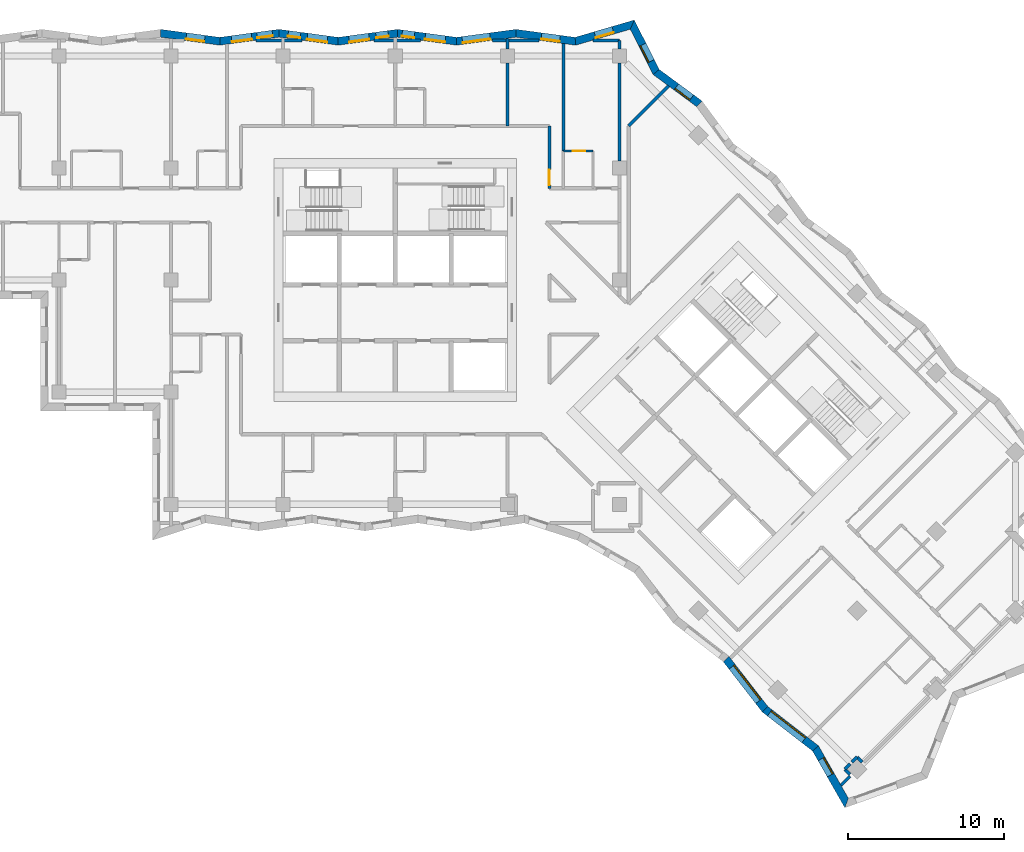
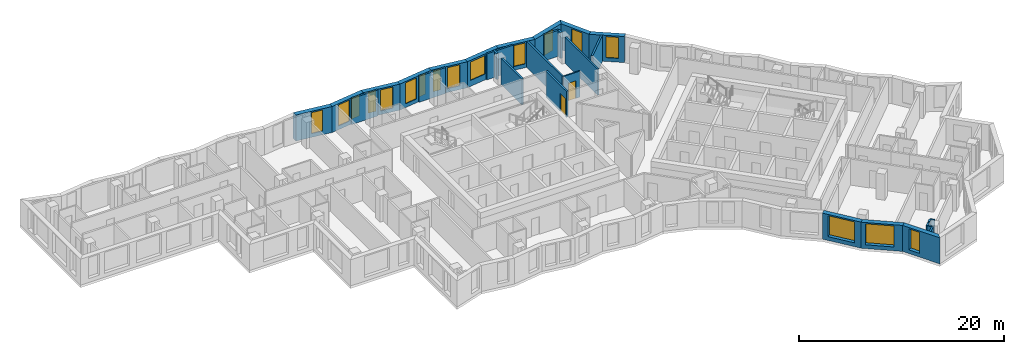
# One storey, part 7 of 12: 30 walls, 17 windows, 2 doors, 19 openings.
"""IFC4 building model written with IfcOpenShell, lengths in metres."""

from ifc_helpers import new_model, si_unit, direction, frame, frame_2d, origin, place, context, subcontext, project, spatial, polyline, rectangle, outline, extrude, material, layer, layer_set, type_object, element, fill, save


model = new_model("IFC4")

# Units and contexts
model_context = context("Model", 3, precision=1e-05, world=origin(), true_north=direction((0.0, 1.0)))
body_context = subcontext(model_context, "Body", "Model", "MODEL_VIEW")
ifc_project = project(units=[si_unit("LENGTHUNIT", "METRE"), si_unit("AREAUNIT", "SQUARE_METRE"), si_unit("VOLUMEUNIT", "CUBIC_METRE"), si_unit("PLANEANGLEUNIT", "RADIAN"), si_unit("MASSUNIT", "GRAM", prefix="KILO")], contexts=[model_context])

# Site, building, storey
site_placement = place(None, origin())
site = spatial("IfcSite", under=ifc_project, at=site_placement, CompositionType="ELEMENT")
building_placement = place(site_placement, origin())
building = spatial("IfcBuilding", under=site, at=building_placement, Name="Windrow Commons", CompositionType="ELEMENT")
storey_placement = place(building_placement, frame((0.0, 0.0, 159.2)))
storey = spatial("IfcBuildingStorey", under=building, at=storey_placement, Name="L43", CompositionType="ELEMENT", Elevation=159.2)

# Wall, opening, window
ifc_material_1 = material(Name="Brick masonry, red clay brick", Category="masonry")
ifc_layer_1 = layer(ifc_material_1, 0.5)
ifc_layer_set_1 = layer_set([ifc_layer_1], Name="Brick facade wall 500")
wall_type_1 = type_object("IfcWallType", Name="Brick facade wall 500", PredefinedType="SOLIDWALL", material=ifc_layer_set_1)
wall_1_placement = place(storey_placement, frame((84.3344, 68.9292, 0.0), z_axis=(0.0, 0.0, 1.0), x_axis=(-0.8050434162, 0.5932158949, 0.0)))
wall_1 = element("IfcWall", 1, at=wall_1_placement, inside=storey, type_object=wall_type_1, Name="Brick facade wall L43 17", PredefinedType="SOLIDWALL", context=body_context, shape_type="SweptSolid", body=[
    extrude(outline(polyline([(-0.0379, -0.25), (3.3805, -0.25), (3.4997, 0.25), (0.0379, 0.25), (-0.0379, -0.25)])), origin(), (0.0, 0.0, 1.0), 3.1),
])
opening_1_placement = place(wall_1_placement, frame((0.6325, 0.0, 0.45)))
opening_1 = element("IfcOpeningElement", 2, at=opening_1_placement, cuts=wall_1, Name="Opening W7E", PredefinedType="OPENING", context=body_context, shape_type="SweptSolid", body=[
    extrude(rectangle(XDim=1.2, YDim=2.5, at=frame_2d((0.6, 1.25))), frame((0.0, 0.26, 0.0), z_axis=(0.0, -1.0, 0.0), x_axis=(1.0, 0.0, 0.0)), (0.0, 0.0, 1.0), 0.52),
])
ifc_material_2 = material(Name="Clear float glass in anodised aluminium frame", Category="aluminium")
window_type_1 = type_object("IfcWindowType", Name="Window W7 notch 1200x2500", PartitioningType="SINGLE_PANEL", PredefinedType="WINDOW", material=ifc_material_2)
window_1_placement = place(opening_1_placement, origin())
window_1 = element("IfcWindow", 3, at=window_1_placement, inside=storey, type_object=window_type_1, Name="Window L43 17.1", OverallHeight=2.5, OverallWidth=1.2, PartitioningType="SINGLE_PANEL", PredefinedType="WINDOW", context=body_context, shape_type="SweptSolid", body=[
    extrude(rectangle(XDim=1.2, YDim=2.5, at=frame_2d((0.6, 1.25))), frame((0.0, 0.18, 0.0), z_axis=(0.0, -1.0, 0.0), x_axis=(1.0, 0.0, 0.0)), (0.0, 0.0, 1.0), 0.06),
])
fill(opening_1, window_1)

wall_2_placement = place(storey_placement, frame((81.565, 70.9699, 0.0), z_axis=(0.0, 0.0, 1.0), x_axis=(-0.4506826549, 0.8926842357, 0.0)))
wall_2 = element("IfcWall", 4, at=wall_2_placement, inside=storey, type_object=wall_type_1, Name="Brick facade wall L43 18", PredefinedType="SOLIDWALL", context=body_context, shape_type="SweptSolid", body=[
    extrude(outline(polyline([(0.0596, -0.25), (3.6177, -0.25), (3.2018, 0.25), (-0.0596, 0.25), (0.0596, -0.25)])), origin(), (0.0, 0.0, 1.0), 3.1),
])
opening_2_placement = place(wall_2_placement, frame((0.7636, 0.0, 0.45)))
opening_2 = element("IfcOpeningElement", 5, at=opening_2_placement, cuts=wall_2, Name="Opening W7E", PredefinedType="OPENING", context=body_context, shape_type="SweptSolid", body=[
    extrude(rectangle(XDim=1.2, YDim=2.5, at=frame_2d((0.6, 1.25))), frame((0.0, 0.26, 0.0), z_axis=(0.0, -1.0, 0.0), x_axis=(1.0, 0.0, 0.0)), (0.0, 0.0, 1.0), 0.52),
])
window_2_placement = place(opening_2_placement, origin())
window_2 = element("IfcWindow", 6, at=window_2_placement, inside=storey, type_object=window_type_1, Name="Window L43 18.1", OverallHeight=2.5, OverallWidth=1.2, PartitioningType="SINGLE_PANEL", PredefinedType="WINDOW", context=body_context, shape_type="SweptSolid", body=[
    extrude(rectangle(XDim=1.2, YDim=2.5, at=frame_2d((0.6, 1.25))), frame((0.0, 0.18, 0.0), z_axis=(0.0, -1.0, 0.0), x_axis=(1.0, 0.0, 0.0)), (0.0, 0.0, 1.0), 0.06),
])
fill(opening_2, window_2)

wall_3_placement = place(storey_placement, frame((80.0283, 74.0137, 0.0), z_axis=(0.0, 0.0, 1.0), x_axis=(-0.9598407547, -0.2805454075, 0.0)))
wall_3 = element("IfcWall", 7, at=wall_3_placement, inside=storey, type_object=wall_type_1, Name="Brick facade wall L43 19", PredefinedType="SOLIDWALL", context=body_context, shape_type="SweptSolid", body=[
    extrude(outline(polyline([(-0.2079, -0.25), (3.7556, -0.25), (3.8617, 0.25), (0.2079, 0.25), (-0.2079, -0.25)])), origin(), (0.0, 0.0, 1.0), 3.1),
])
opening_3_placement = place(wall_3_placement, frame((1.2858, 0.0, 0.45)))
opening_3 = element("IfcOpeningElement", 8, at=opening_3_placement, cuts=wall_3, Name="Opening W7E", PredefinedType="OPENING", context=body_context, shape_type="SweptSolid", body=[
    extrude(rectangle(XDim=1.2, YDim=2.5, at=frame_2d((0.6, 1.25))), frame((0.0, 0.26, 0.0), z_axis=(0.0, -1.0, 0.0), x_axis=(1.0, 0.0, 0.0)), (0.0, 0.0, 1.0), 0.52),
])
window_3_placement = place(opening_3_placement, origin())
window_3 = element("IfcWindow", 9, at=window_3_placement, inside=storey, type_object=window_type_1, Name="Window L43 19.1", OverallHeight=2.5, OverallWidth=1.2, PartitioningType="SINGLE_PANEL", PredefinedType="WINDOW", context=body_context, shape_type="SweptSolid", body=[
    extrude(rectangle(XDim=1.2, YDim=2.5, at=frame_2d((0.6, 1.25))), frame((0.0, 0.18, 0.0), z_axis=(0.0, -1.0, 0.0), x_axis=(1.0, 0.0, 0.0)), (0.0, 0.0, 1.0), 0.06),
])
fill(opening_3, window_3)

wall_4_placement = place(storey_placement, frame((76.3726, 72.9452, 0.0), z_axis=(0.0, 0.0, 1.0), x_axis=(-0.9910680415, 0.1333571784, 0.0)))
wall_4 = element("IfcWall", 10, at=wall_4_placement, inside=storey, type_object=wall_type_1, Name="Brick facade wall L43 20", PredefinedType="SOLIDWALL", context=body_context, shape_type="SweptSolid", body=[
    extrude(outline(polyline([(0.053, -0.25), (3.8917, -0.25), (3.8244, 0.25), (-0.053, 0.25), (0.053, -0.25)])), origin(), (0.0, 0.0, 1.0), 3.1),
])
opening_4_placement = place(wall_4_placement, frame((1.002, 0.0, 0.45)))
opening_4 = element("IfcOpeningElement", 11, at=opening_4_placement, cuts=wall_4, Name="Opening W7E", PredefinedType="OPENING", context=body_context, shape_type="SweptSolid", body=[
    extrude(rectangle(XDim=1.2, YDim=2.5, at=frame_2d((0.6, 1.25))), frame((0.0, 0.26, 0.0), z_axis=(0.0, -1.0, 0.0), x_axis=(1.0, 0.0, 0.0)), (0.0, 0.0, 1.0), 0.52),
])
window_4_placement = place(opening_4_placement, origin())
window_4 = element("IfcWindow", 12, at=window_4_placement, inside=storey, type_object=window_type_1, Name="Window L43 20.1", OverallHeight=2.5, OverallWidth=1.2, PartitioningType="SINGLE_PANEL", PredefinedType="WINDOW", context=body_context, shape_type="SweptSolid", body=[
    extrude(rectangle(XDim=1.2, YDim=2.5, at=frame_2d((0.6, 1.25))), frame((0.0, 0.18, 0.0), z_axis=(0.0, -1.0, 0.0), x_axis=(1.0, 0.0, 0.0)), (0.0, 0.0, 1.0), 0.06),
])
fill(opening_4, window_4)

wall_5_placement = place(storey_placement, frame((72.549, 73.4597, 0.0), z_axis=(0.0, 0.0, 1.0), x_axis=(-0.9910651652, -0.1333785524, 0.0)))
wall_5 = element("IfcWall", 13, at=wall_5_placement, inside=storey, type_object=wall_type_1, Name="Brick facade wall L43 21", PredefinedType="SOLIDWALL", context=body_context, shape_type="SweptSolid", body=[
    extrude(outline(polyline([(-0.0336, -0.25), (3.805, -0.25), (3.8723, 0.25), (0.0336, 0.25), (-0.0336, -0.25)])), origin(), (0.0, 0.0, 1.0), 3.1),
])
opening_5_placement = place(wall_5_placement, frame((1.668, 0.0, 0.7)))
opening_5 = element("IfcOpeningElement", 14, at=opening_5_placement, cuts=wall_5, Name="Opening W6", PredefinedType="OPENING", context=body_context, shape_type="SweptSolid", body=[
    extrude(rectangle(XDim=1.8, YDim=2.2, at=frame_2d((0.9, 1.1))), frame((0.0, 0.26, 0.0), z_axis=(0.0, -1.0, 0.0), x_axis=(1.0, 0.0, 0.0)), (0.0, 0.0, 1.0), 0.52),
])
ifc_material_3 = material(Name="Clear float glass in anodised aluminium frame", Category="aluminium")
window_type_2 = type_object("IfcWindowType", Name="Window W6 crown 1800x2200", PartitioningType="SINGLE_PANEL", PredefinedType="WINDOW", material=ifc_material_3)
window_5_placement = place(opening_5_placement, origin())
window_5 = element("IfcWindow", 15, at=window_5_placement, inside=storey, type_object=window_type_2, Name="Window L43 21.1A", OverallHeight=2.2, OverallWidth=1.8, PartitioningType="SINGLE_PANEL", PredefinedType="WINDOW", context=body_context, shape_type="SweptSolid", body=[
    extrude(rectangle(XDim=1.8, YDim=2.2, at=frame_2d((0.9, 1.1))), frame((0.0, 0.18, 0.0), z_axis=(0.0, -1.0, 0.0), x_axis=(1.0, 0.0, 0.0)), (0.0, 0.0, 1.0), 0.06),
])
fill(opening_5, window_5)

# Wall, openings, windows
wall_6_placement = place(storey_placement, frame((68.7446, 72.9477, 0.0), z_axis=(0.0, 0.0, 1.0), x_axis=(-0.9910647018, 0.133381996, 0.0)))
wall_6 = element("IfcWall", 16, at=wall_6_placement, inside=storey, type_object=wall_type_1, Name="Brick facade wall L43 22", PredefinedType="SOLIDWALL", context=body_context, shape_type="SweptSolid", body=[
    extrude(outline(polyline([(0.0336, -0.25), (3.8723, -0.25), (3.805, 0.25), (-0.0336, 0.25), (0.0336, -0.25)])), origin(), (0.0, 0.0, 1.0), 3.1),
])
opening_6_placement = place(wall_6_placement, frame((0.7377, 0.0, 0.45)))
opening_6 = element("IfcOpeningElement", 17, at=opening_6_placement, cuts=wall_6, Name="Opening W1Q", PredefinedType="OPENING", context=body_context, shape_type="SweptSolid", body=[
    extrude(rectangle(XDim=1.3, YDim=2.5, at=frame_2d((0.65, 1.25))), frame((0.0, 0.26, 0.0), z_axis=(0.0, -1.0, 0.0), x_axis=(1.0, 0.0, 0.0)), (0.0, 0.0, 1.0), 0.52),
])
opening_7_placement = place(wall_6_placement, frame((2.7377, 0.0, 0.45)))
opening_7 = element("IfcOpeningElement", 18, at=opening_7_placement, cuts=wall_6, Name="Opening W1N", PredefinedType="OPENING", context=body_context, shape_type="SweptSolid", body=[
    extrude(rectangle(XDim=0.8, YDim=2.5, at=frame_2d((0.4, 1.25))), frame((0.0, 0.26, 0.0), z_axis=(0.0, -1.0, 0.0), x_axis=(1.0, 0.0, 0.0)), (0.0, 0.0, 1.0), 0.52),
])
ifc_material_4 = material(Name="Clear float glass in anodised aluminium frame", Category="aluminium")
window_type_3 = type_object("IfcWindowType", Name="Window W1N slit 800x2500", PartitioningType="SINGLE_PANEL", PredefinedType="WINDOW", material=ifc_material_4)
window_6_placement = place(opening_7_placement, origin())
window_6 = element("IfcWindow", 19, at=window_6_placement, inside=storey, type_object=window_type_3, Name="Window L43 22.1B", OverallHeight=2.5, OverallWidth=0.8, PartitioningType="SINGLE_PANEL", PredefinedType="WINDOW", context=body_context, shape_type="SweptSolid", body=[
    extrude(rectangle(XDim=0.8, YDim=2.5, at=frame_2d((0.4, 1.25))), frame((0.0, 0.18, 0.0), z_axis=(0.0, -1.0, 0.0), x_axis=(1.0, 0.0, 0.0)), (0.0, 0.0, 1.0), 0.06),
])
fill(opening_7, window_6)
ifc_material_5 = material(Name="Clear float glass in anodised aluminium frame", Category="aluminium")
window_type_4 = type_object("IfcWindowType", Name="Window W1Q pair 1300x2500", PartitioningType="SINGLE_PANEL", PredefinedType="WINDOW", material=ifc_material_5)
window_7_placement = place(opening_6_placement, origin())
window_7 = element("IfcWindow", 20, at=window_7_placement, inside=storey, type_object=window_type_4, Name="Window L43 22.1A", OverallHeight=2.5, OverallWidth=1.3, PartitioningType="SINGLE_PANEL", PredefinedType="WINDOW", context=body_context, shape_type="SweptSolid", body=[
    extrude(rectangle(XDim=1.3, YDim=2.5, at=frame_2d((0.65, 1.25))), frame((0.0, 0.18, 0.0), z_axis=(0.0, -1.0, 0.0), x_axis=(1.0, 0.0, 0.0)), (0.0, 0.0, 1.0), 0.06),
])
fill(opening_6, window_7)

wall_7_placement = place(storey_placement, frame((64.9403, 73.4597, 0.0), z_axis=(0.0, 0.0, 1.0), x_axis=(-0.9910651652, -0.1333785524, 0.0)))
wall_7 = element("IfcWall", 21, at=wall_7_placement, inside=storey, type_object=wall_type_1, Name="Brick facade wall L43 23", PredefinedType="SOLIDWALL", context=body_context, shape_type="SweptSolid", body=[
    extrude(outline(polyline([(-0.0336, -0.25), (3.805, -0.25), (3.8723, 0.25), (0.0336, 0.25), (-0.0336, -0.25)])), origin(), (0.0, 0.0, 1.0), 3.1),
])
opening_8_placement = place(wall_7_placement, frame((0.588, 0.0, 0.45)))
opening_8 = element("IfcOpeningElement", 22, at=opening_8_placement, cuts=wall_7, Name="Opening W1N", PredefinedType="OPENING", context=body_context, shape_type="SweptSolid", body=[
    extrude(rectangle(XDim=0.8, YDim=2.5, at=frame_2d((0.4, 1.25))), frame((0.0, 0.26, 0.0), z_axis=(0.0, -1.0, 0.0), x_axis=(1.0, 0.0, 0.0)), (0.0, 0.0, 1.0), 0.52),
])
opening_9_placement = place(wall_7_placement, frame((1.838, 0.0, 0.45)))
opening_9 = element("IfcOpeningElement", 23, at=opening_9_placement, cuts=wall_7, Name="Opening W1Q", PredefinedType="OPENING", context=body_context, shape_type="SweptSolid", body=[
    extrude(rectangle(XDim=1.3, YDim=2.5, at=frame_2d((0.65, 1.25))), frame((0.0, 0.26, 0.0), z_axis=(0.0, -1.0, 0.0), x_axis=(1.0, 0.0, 0.0)), (0.0, 0.0, 1.0), 0.52),
])
window_8_placement = place(opening_8_placement, origin())
window_8 = element("IfcWindow", 24, at=window_8_placement, inside=storey, type_object=window_type_3, Name="Window L43 23.1A", OverallHeight=2.5, OverallWidth=0.8, PartitioningType="SINGLE_PANEL", PredefinedType="WINDOW", context=body_context, shape_type="SweptSolid", body=[
    extrude(rectangle(XDim=0.8, YDim=2.5, at=frame_2d((0.4, 1.25))), frame((0.0, 0.14, 0.0), z_axis=(0.0, -1.0, 0.0), x_axis=(1.0, 0.0, 0.0)), (0.0, 0.0, 1.0), 0.06),
])
fill(opening_8, window_8)
window_9_placement = place(opening_9_placement, origin())
window_9 = element("IfcWindow", 25, at=window_9_placement, inside=storey, type_object=window_type_4, Name="Window L43 23.1B", OverallHeight=2.5, OverallWidth=1.3, PartitioningType="SINGLE_PANEL", PredefinedType="WINDOW", context=body_context, shape_type="SweptSolid", body=[
    extrude(rectangle(XDim=1.3, YDim=2.5, at=frame_2d((0.65, 1.25))), frame((0.0, 0.18, 0.0), z_axis=(0.0, -1.0, 0.0), x_axis=(1.0, 0.0, 0.0)), (0.0, 0.0, 1.0), 0.06),
])
fill(opening_9, window_9)

wall_8_placement = place(storey_placement, frame((61.1359, 72.9477, 0.0), z_axis=(0.0, 0.0, 1.0), x_axis=(-0.9910647018, 0.133381996, 0.0)))
wall_8 = element("IfcWall", 26, at=wall_8_placement, inside=storey, type_object=wall_type_1, Name="Brick facade wall L43 24", PredefinedType="SOLIDWALL", context=body_context, shape_type="SweptSolid", body=[
    extrude(outline(polyline([(0.0336, -0.25), (3.8723, -0.25), (3.805, 0.25), (-0.0336, 0.25), (0.0336, -0.25)])), origin(), (0.0, 0.0, 1.0), 3.1),
])
opening_10_placement = place(wall_8_placement, frame((0.7007, 0.0, 0.45)))
opening_10 = element("IfcOpeningElement", 27, at=opening_10_placement, cuts=wall_8, Name="Opening W1Q", PredefinedType="OPENING", context=body_context, shape_type="SweptSolid", body=[
    extrude(rectangle(XDim=1.3, YDim=2.5, at=frame_2d((0.65, 1.25))), frame((0.0, 0.26, 0.0), z_axis=(0.0, -1.0, 0.0), x_axis=(1.0, 0.0, 0.0)), (0.0, 0.0, 1.0), 0.52),
])
opening_11_placement = place(wall_8_placement, frame((2.4507, 0.0, 0.45)))
opening_11 = element("IfcOpeningElement", 28, at=opening_11_placement, cuts=wall_8, Name="Opening W1N", PredefinedType="OPENING", context=body_context, shape_type="SweptSolid", body=[
    extrude(rectangle(XDim=0.8, YDim=2.5, at=frame_2d((0.4, 1.25))), frame((0.0, 0.26, 0.0), z_axis=(0.0, -1.0, 0.0), x_axis=(1.0, 0.0, 0.0)), (0.0, 0.0, 1.0), 0.52),
])
window_10_placement = place(opening_11_placement, origin())
window_10 = element("IfcWindow", 29, at=window_10_placement, inside=storey, type_object=window_type_3, Name="Window L43 24.1B", OverallHeight=2.5, OverallWidth=0.8, PartitioningType="SINGLE_PANEL", PredefinedType="WINDOW", context=body_context, shape_type="SweptSolid", body=[
    extrude(rectangle(XDim=0.8, YDim=2.5, at=frame_2d((0.4, 1.25))), frame((0.0, 0.14, 0.0), z_axis=(0.0, -1.0, 0.0), x_axis=(1.0, 0.0, 0.0)), (0.0, 0.0, 1.0), 0.06),
])
fill(opening_11, window_10)
window_11_placement = place(opening_10_placement, origin())
window_11 = element("IfcWindow", 30, at=window_11_placement, inside=storey, type_object=window_type_4, Name="Window L43 24.1A", OverallHeight=2.5, OverallWidth=1.3, PartitioningType="SINGLE_PANEL", PredefinedType="WINDOW", context=body_context, shape_type="SweptSolid", body=[
    extrude(rectangle(XDim=1.3, YDim=2.5, at=frame_2d((0.65, 1.25))), frame((0.0, 0.18, 0.0), z_axis=(0.0, -1.0, 0.0), x_axis=(1.0, 0.0, 0.0)), (0.0, 0.0, 1.0), 0.06),
])
fill(opening_10, window_11)

wall_9_placement = place(storey_placement, frame((57.3316, 73.4597, 0.0), z_axis=(0.0, 0.0, 1.0), x_axis=(-0.9910651652, -0.1333785524, 0.0)))
wall_9 = element("IfcWall", 31, at=wall_9_placement, inside=storey, type_object=wall_type_1, Name="Brick facade wall L43 25", PredefinedType="SOLIDWALL", context=body_context, shape_type="SweptSolid", body=[
    extrude(outline(polyline([(-0.0336, -0.25), (3.805, -0.25), (3.8723, 0.25), (0.0336, 0.25), (-0.0336, -0.25)])), origin(), (0.0, 0.0, 1.0), 3.1),
])
opening_12_placement = place(wall_9_placement, frame((0.4187, 0.0, 0.45)))
opening_12 = element("IfcOpeningElement", 32, at=opening_12_placement, cuts=wall_9, Name="Opening W1S", PredefinedType="OPENING", context=body_context, shape_type="SweptSolid", body=[
    extrude(rectangle(XDim=1.0, YDim=2.5, at=frame_2d((0.5, 1.25))), frame((0.0, 0.26, 0.0), z_axis=(0.0, -1.0, 0.0), x_axis=(1.0, 0.0, 0.0)), (0.0, 0.0, 1.0), 0.52),
])
opening_13_placement = place(wall_9_placement, frame((1.7687, 0.0, 0.45)))
opening_13 = element("IfcOpeningElement", 33, at=opening_13_placement, cuts=wall_9, Name="Opening W1Q", PredefinedType="OPENING", context=body_context, shape_type="SweptSolid", body=[
    extrude(rectangle(XDim=1.3, YDim=2.5, at=frame_2d((0.65, 1.25))), frame((0.0, 0.26, 0.0), z_axis=(0.0, -1.0, 0.0), x_axis=(1.0, 0.0, 0.0)), (0.0, 0.0, 1.0), 0.52),
])
window_12_placement = place(opening_13_placement, origin())
window_12 = element("IfcWindow", 34, at=window_12_placement, inside=storey, type_object=window_type_4, Name="Window L43 25.1B", OverallHeight=2.5, OverallWidth=1.3, PartitioningType="SINGLE_PANEL", PredefinedType="WINDOW", context=body_context, shape_type="SweptSolid", body=[
    extrude(rectangle(XDim=1.3, YDim=2.5, at=frame_2d((0.65, 1.25))), frame((0.0, 0.18, 0.0), z_axis=(0.0, -1.0, 0.0), x_axis=(1.0, 0.0, 0.0)), (0.0, 0.0, 1.0), 0.06),
])
fill(opening_13, window_12)
ifc_material_6 = material(Name="Clear float glass in anodised aluminium frame", Category="aluminium")
window_type_5 = type_object("IfcWindowType", Name="Window W1S slit 1000x2500", PartitioningType="SINGLE_PANEL", PredefinedType="WINDOW", material=ifc_material_6)
window_13_placement = place(opening_12_placement, origin())
window_13 = element("IfcWindow", 35, at=window_13_placement, inside=storey, type_object=window_type_5, Name="Window L43 25.1A", OverallHeight=2.5, OverallWidth=1.0, PartitioningType="SINGLE_PANEL", PredefinedType="WINDOW", context=body_context, shape_type="SweptSolid", body=[
    extrude(rectangle(XDim=1.0, YDim=2.5, at=frame_2d((0.5, 1.25))), frame((0.0, 0.14, 0.0), z_axis=(0.0, -1.0, 0.0), x_axis=(1.0, 0.0, 0.0)), (0.0, 0.0, 1.0), 0.06),
])
fill(opening_12, window_13)

# Wall, opening, window
wall_10_placement = place(storey_placement, frame((53.5272, 72.9477, 0.0), z_axis=(0.0, 0.0, 1.0), x_axis=(-0.9910647018, 0.133381996, 0.0)))
wall_10 = element("IfcWall", 36, at=wall_10_placement, inside=storey, type_object=wall_type_1, Name="Brick facade wall L43 26", PredefinedType="SOLIDWALL", context=body_context, shape_type="SweptSolid", body=[
    extrude(outline(polyline([(0.0336, -0.25), (3.8723, -0.25), (3.805, 0.25), (-0.0336, 0.25), (0.0336, -0.25)])), origin(), (0.0, 0.0, 1.0), 3.1),
])
opening_14_placement = place(wall_10_placement, frame((0.9777, 0.0, 0.45)))
opening_14 = element("IfcOpeningElement", 37, at=opening_14_placement, cuts=wall_10, Name="Opening W7E", PredefinedType="OPENING", context=body_context, shape_type="SweptSolid", body=[
    extrude(rectangle(XDim=1.2, YDim=2.5, at=frame_2d((0.6, 1.25))), frame((0.0, 0.26, 0.0), z_axis=(0.0, -1.0, 0.0), x_axis=(1.0, 0.0, 0.0)), (0.0, 0.0, 1.0), 0.52),
])
window_14_placement = place(opening_14_placement, origin())
window_14 = element("IfcWindow", 38, at=window_14_placement, inside=storey, type_object=window_type_1, Name="Window L43 26.1", OverallHeight=2.5, OverallWidth=1.2, PartitioningType="SINGLE_PANEL", PredefinedType="WINDOW", context=body_context, shape_type="SweptSolid", body=[
    extrude(rectangle(XDim=1.2, YDim=2.5, at=frame_2d((0.6, 1.25))), frame((0.0, 0.18, 0.0), z_axis=(0.0, -1.0, 0.0), x_axis=(1.0, 0.0, 0.0)), (0.0, 0.0, 1.0), 0.06),
])
fill(opening_14, window_14)

wall_11_placement = place(storey_placement, frame((86.0557, 33.2565, 0.0), z_axis=(0.0, 0.0, 1.0), x_axis=(0.6128993362, -0.7901609986, 0.0)))
wall_11 = element("IfcWall", 39, at=wall_11_placement, inside=storey, type_object=wall_type_1, Name="Brick facade wall L43 53", PredefinedType="SOLIDWALL", context=body_context, shape_type="SweptSolid", body=[
    extrude(outline(polyline([(0.0316, -0.25), (4.116, -0.25), (4.0528, 0.25), (-0.0316, 0.25), (0.0316, -0.25)])), origin(), (0.0, 0.0, 1.0), 3.1),
])
opening_15_placement = place(wall_11_placement, frame((0.6264, 0.0, 0.45)))
opening_15 = element("IfcOpeningElement", 40, at=opening_15_placement, cuts=wall_11, Name="Opening W1U", PredefinedType="OPENING", context=body_context, shape_type="SweptSolid", body=[
    extrude(rectangle(XDim=2.8, YDim=2.5, at=frame_2d((1.4, 1.25))), frame((0.0, 0.26, 0.0), z_axis=(0.0, -1.0, 0.0), x_axis=(1.0, 0.0, 0.0)), (0.0, 0.0, 1.0), 0.52),
])
ifc_material_7 = material(Name="Clear float glass in anodised aluminium frame", Category="aluminium")
window_type_6 = type_object("IfcWindowType", Name="Window W1U bedroom 2800x2500", PartitioningType="SINGLE_PANEL", PredefinedType="WINDOW", material=ifc_material_7)
window_15_placement = place(opening_15_placement, origin())
window_15 = element("IfcWindow", 41, at=window_15_placement, inside=storey, type_object=window_type_6, Name="Window L43 53.1", OverallHeight=2.5, OverallWidth=2.8, PartitioningType="SINGLE_PANEL", PredefinedType="WINDOW", context=body_context, shape_type="SweptSolid", body=[
    extrude(rectangle(XDim=2.8, YDim=2.5, at=frame_2d((1.4, 1.25))), frame((0.0, 0.18, 0.0), z_axis=(0.0, -1.0, 0.0), x_axis=(1.0, 0.0, 0.0)), (0.0, 0.0, 1.0), 0.06),
])
fill(opening_15, window_15)

wall_12_placement = place(storey_placement, frame((88.559, 30.0292, 0.0), z_axis=(0.0, 0.0, 1.0), x_axis=(0.7901665614, -0.6128921644, 0.0)))
wall_12 = element("IfcWall", 42, at=wall_12_placement, inside=storey, type_object=wall_type_1, Name="Brick facade wall L43 54", PredefinedType="SOLIDWALL", context=body_context, shape_type="SweptSolid", body=[
    extrude(outline(polyline([(-0.0316, -0.25), (4.0528, -0.25), (4.1525, 0.25), (0.0316, 0.25), (-0.0316, -0.25)])), origin(), (0.0, 0.0, 1.0), 3.1),
])
opening_16_placement = place(wall_12_placement, frame((0.3811, 0.0, 0.45)))
opening_16 = element("IfcOpeningElement", 43, at=opening_16_placement, cuts=wall_12, Name="Opening W1U", PredefinedType="OPENING", context=body_context, shape_type="SweptSolid", body=[
    extrude(rectangle(XDim=2.8, YDim=2.5, at=frame_2d((1.4, 1.25))), frame((0.0, 0.26, 0.0), z_axis=(0.0, -1.0, 0.0), x_axis=(1.0, 0.0, 0.0)), (0.0, 0.0, 1.0), 0.52),
])
window_16_placement = place(opening_16_placement, origin())
window_16 = element("IfcWindow", 44, at=window_16_placement, inside=storey, type_object=window_type_6, Name="Window L43 54.1", OverallHeight=2.5, OverallWidth=2.8, PartitioningType="SINGLE_PANEL", PredefinedType="WINDOW", context=body_context, shape_type="SweptSolid", body=[
    extrude(rectangle(XDim=2.8, YDim=2.5, at=frame_2d((1.4, 1.25))), frame((0.0, 0.18, 0.0), z_axis=(0.0, -1.0, 0.0), x_axis=(1.0, 0.0, 0.0)), (0.0, 0.0, 1.0), 0.06),
])
fill(opening_16, window_16)

wall_13_placement = place(storey_placement, frame((91.8008, 27.5147, 0.0), z_axis=(0.0, 0.0, 1.0), x_axis=(0.4947688164, -0.8690246362, 0.0)))
wall_13 = element("IfcWall", 45, at=wall_13_placement, inside=storey, type_object=wall_type_1, Name="Brick facade wall L43 55", PredefinedType="SOLIDWALL", context=body_context, shape_type="SweptSolid", body=[
    extrude(outline(polyline([(0.0498, -0.25), (4.2518, -0.25), (3.8319, 0.25), (-0.0498, 0.25), (0.0498, -0.25)])), origin(), (0.0, 0.0, 1.0), 3.1),
])
opening_17_placement = place(wall_13_placement, frame((0.7694, 0.0, 0.45)))
opening_17 = element("IfcOpeningElement", 46, at=opening_17_placement, cuts=wall_13, Name="Opening W7E", PredefinedType="OPENING", context=body_context, shape_type="SweptSolid", body=[
    extrude(rectangle(XDim=1.2, YDim=2.5, at=frame_2d((0.6, 1.25))), frame((0.0, 0.26, 0.0), z_axis=(0.0, -1.0, 0.0), x_axis=(1.0, 0.0, 0.0)), (0.0, 0.0, 1.0), 0.52),
])
window_17_placement = place(opening_17_placement, origin())
window_17 = element("IfcWindow", 47, at=window_17_placement, inside=storey, type_object=window_type_1, Name="Window L43 55.1", OverallHeight=2.5, OverallWidth=1.2, PartitioningType="SINGLE_PANEL", PredefinedType="WINDOW", context=body_context, shape_type="SweptSolid", body=[
    extrude(rectangle(XDim=1.2, YDim=2.5, at=frame_2d((0.6, 1.25))), frame((0.0, 0.18, 0.0), z_axis=(0.0, -1.0, 0.0), x_axis=(1.0, 0.0, 0.0)), (0.0, 0.0, 1.0), 0.06),
])
fill(opening_17, window_17)

# Wall, opening, door
ifc_material_8 = material(Name="Blockwork partition", Category="masonry")
ifc_layer_2 = layer(ifc_material_8, 0.2)
ifc_layer_set_2 = layer_set([ifc_layer_2], Name="IW-CORRIDOR-200")
wall_type_2 = type_object("IfcWallType", Name="IW-CORRIDOR-200", PredefinedType="PARTITIONING", material=ifc_layer_set_2)
wall_14_placement = place(storey_placement, frame((74.7, 63.502, 0.0), z_axis=(0.0, 0.0, 1.0), x_axis=(0.0, 1.0, 0.0)))
wall_14 = element("IfcWall", 48, at=wall_14_placement, inside=storey, type_object=wall_type_2, Name="W-L43-W043", PredefinedType="PARTITIONING", context=body_context, shape_type="SweptSolid", body=[
    extrude(rectangle(XDim=3.998, YDim=0.2, at=frame_2d((1.999, 0.0))), origin(), (0.0, 0.0, 1.0), 3.1),
])
opening_18_placement = place(wall_14_placement, frame((0.2031, 0.0, 0.0)))
opening_18 = element("IfcOpeningElement", 49, at=opening_18_placement, cuts=wall_14, Name="Opening D310F", PredefinedType="OPENING", context=body_context, shape_type="SweptSolid", body=[
    extrude(rectangle(XDim=1.0, YDim=2.1, at=frame_2d((0.5, 1.05))), frame((0.0, 0.11, 0.0), z_axis=(0.0, -1.0, 0.0), x_axis=(1.0, 0.0, 0.0)), (0.0, 0.0, 1.0), 0.22),
])
ifc_material_9 = material(Name="Timber door leaf", Category="wood")
door_type_1 = type_object("IfcDoorType", Name="DT-AMENITY-1000", OperationType="SINGLE_SWING_LEFT", PredefinedType="DOOR", material=ifc_material_9)
door_1_placement = place(opening_18_placement, origin())
door_1 = element("IfcDoor", 50, at=door_1_placement, inside=storey, type_object=door_type_1, Name="D-L43-D022", OperationType="SINGLE_SWING_RIGHT", OverallHeight=2.1, OverallWidth=1.0, PredefinedType="DOOR", context=body_context, shape_type="SweptSolid", body=[
    extrude(rectangle(XDim=1.0, YDim=2.1, at=frame_2d((0.5, 1.05))), frame((0.0, 0.025, 0.0), z_axis=(0.0, -1.0, 0.0), x_axis=(1.0, 0.0, 0.0)), (0.0, 0.0, 1.0), 0.05),
])
fill(opening_18, door_1)

ifc_material_10 = material(Name="Blockwork partition", Category="masonry")
ifc_layer_3 = layer(ifc_material_10, 0.15)
ifc_layer_set_3 = layer_set([ifc_layer_3], Name="IW-ENSUITE-150")
wall_type_3 = type_object("IfcWallType", Name="IW-ENSUITE-150", PredefinedType="PARTITIONING", material=ifc_layer_set_3)
wall_15_placement = place(storey_placement, frame((75.6, 65.9, 0.0), z_axis=(0.0, 0.0, 1.0), x_axis=(1.0, 0.0, 0.0)))
wall_15 = element("IfcWall", 51, at=wall_15_placement, inside=storey, type_object=wall_type_3, Name="W-L43-W114", PredefinedType="PARTITIONING", context=body_context, shape_type="SweptSolid", body=[
    extrude(rectangle(XDim=1.9, YDim=0.15, at=frame_2d((0.95, 0.0))), origin(), (0.0, 0.0, 1.0), 3.1),
])
opening_19_placement = place(wall_15_placement, frame((0.6069, 0.0, 0.0)))
opening_19 = element("IfcOpeningElement", 52, at=opening_19_placement, cuts=wall_15, Name="Opening D208N", PredefinedType="OPENING", context=body_context, shape_type="SweptSolid", body=[
    extrude(rectangle(XDim=0.8, YDim=2.1, at=frame_2d((0.4, 1.05))), frame((0.0, 0.085, 0.0), z_axis=(0.0, -1.0, 0.0), x_axis=(1.0, 0.0, 0.0)), (0.0, 0.0, 1.0), 0.17),
])
ifc_material_11 = material(Name="Timber door leaf", Category="wood")
door_type_2 = type_object("IfcDoorType", Name="DT-ENSUITE-800", OperationType="SINGLE_SWING_LEFT", PredefinedType="DOOR", material=ifc_material_11)
door_2_placement = place(opening_19_placement, origin())
door_2 = element("IfcDoor", 53, at=door_2_placement, inside=storey, type_object=door_type_2, Name="D-L43-D024", OperationType="SINGLE_SWING_RIGHT", OverallHeight=2.1, OverallWidth=0.8, PredefinedType="DOOR", context=body_context, shape_type="SweptSolid", body=[
    extrude(rectangle(XDim=0.8, YDim=2.1, at=frame_2d((0.4, 1.05))), frame((0.0, 0.025, 0.0), z_axis=(0.0, -1.0, 0.0), x_axis=(1.0, 0.0, 0.0)), (0.0, 0.0, 1.0), 0.05),
])
fill(opening_19, door_2)

# Walls
ifc_material_12 = material(Name="Blockwork partition", Category="masonry")
ifc_layer_4 = layer(ifc_material_12, 0.2)
ifc_layer_set_4 = layer_set([ifc_layer_4], Name="IW-PARTY-200")
wall_type_4 = type_object("IfcWallType", Name="IW-PARTY-200", PredefinedType="PARTITIONING", material=ifc_layer_set_4)
wall_16_placement = place(storey_placement, frame((75.6, 65.9, 0.0), z_axis=(0.0, 0.0, 1.0), x_axis=(0.0, 1.0, 0.0)))
element("IfcWall", 54, at=wall_16_placement, inside=storey, type_object=wall_type_4, Name="W-L43-W016", PredefinedType="PARTITIONING", context=body_context, shape_type="SweptSolid", body=[
    extrude(rectangle(XDim=6.8969, YDim=0.2, at=frame_2d((3.4484, 0.0))), origin(), (0.0, 0.0, 1.0), 3.1),
])
wall_17_placement = place(storey_placement, frame((79.2, 65.25, 0.0), z_axis=(0.0, 0.0, 1.0), x_axis=(0.0, 1.0, 0.0)))
element("IfcWall", 55, at=wall_17_placement, inside=storey, type_object=wall_type_4, Name="W-L43-W025", PredefinedType="PARTITIONING", context=body_context, shape_type="SweptSolid", body=[
    extrude(rectangle(XDim=6.3, YDim=0.2, at=frame_2d((3.15, 0.0))), origin(), (0.0, 0.0, 1.0), 3.1),
])
wall_18_placement = place(storey_placement, frame((72.0, 67.5, 0.0), z_axis=(0.0, 0.0, 1.0), x_axis=(0.0, 1.0, 0.0)))
element("IfcWall", 56, at=wall_18_placement, inside=storey, type_object=wall_type_4, Name="W-L43-W041", PredefinedType="PARTITIONING", context=body_context, shape_type="SweptSolid", body=[
    extrude(rectangle(XDim=4.05, YDim=0.2, at=frame_2d((2.025, 0.0))), origin(), (0.0, 0.0, 1.0), 3.1),
])
wall_19_placement = place(storey_placement, frame((79.7976, 67.5104, 0.0), z_axis=(0.0, 0.0, 1.0), x_axis=(0.7068308048, 0.7073826499, 0.0)))
element("IfcWall", 57, at=wall_19_placement, inside=storey, type_object=wall_type_4, Name="W-L43-W047", PredefinedType="PARTITIONING", context=body_context, shape_type="SweptSolid", body=[
    extrude(rectangle(XDim=3.6242, YDim=0.2, at=frame_2d((1.8121, 0.0))), origin(), (0.0, 0.0, 1.0), 3.1),
])
for number, where, z_axis, x_axis, name in (
    (58, (63.4485, 73.0, 0.0), (0.0, 0.0, 1.0), (1.0, 0.0, 0.0), "W-L43-W055"),
    (59, (71.0572, 73.0, 0.0), (0.0, 0.0, 1.0), (1.0, 0.0, 0.0), "W-L43-W056"),
    (60, (55.8398, 73.0, 0.0), (0.0, 0.0, 1.0), (1.0, 0.0, 0.0), "W-L43-W061"),
):
    element("IfcWall", number, at=place(storey_placement, frame(where, z_axis=z_axis, x_axis=x_axis)), inside=storey, type_object=wall_type_4, Name=name, PredefinedType="PARTITIONING", context=body_context, shape_type="SweptSolid", body=[
        extrude(rectangle(XDim=2.9835, YDim=0.2, at=frame_2d((1.4917, 0.0))), origin(), (0.0, 0.0, 1.0), 3.1),
    ])
wall_20_placement = place(storey_placement, frame((77.5013, 73.0, 0.0), z_axis=(0.0, 0.0, 1.0), x_axis=(1.0, 0.0, 0.0)))
element("IfcWall", 61, at=wall_20_placement, inside=storey, type_object=wall_type_4, Name="W-L43-W130", PredefinedType="PARTITIONING", context=body_context, shape_type="SweptSolid", body=[
    extrude(rectangle(XDim=1.6987, YDim=0.2, at=frame_2d((0.8494, 0.0))), origin(), (0.0, 0.0, 1.0), 3.1),
])
wall_21_placement = place(storey_placement, frame((93.4375, 25.1452, 0.0), z_axis=(0.0, 0.0, 1.0), x_axis=(0.707167148, 0.7070464092, 0.0)))
element("IfcWall", 62, at=wall_21_placement, inside=storey, type_object=wall_type_4, Name="W-L43-W154", PredefinedType="PARTITIONING", context=body_context, shape_type="SweptSolid", body=[
    extrude(rectangle(XDim=0.8282, YDim=0.2, at=frame_2d((0.4141, 0.0))), origin(), (0.0, 0.0, 1.0), 3.1),
])
wall_22_placement = place(storey_placement, frame((72.0, 72.45, 0.0), z_axis=(0.0, 0.0, 1.0), x_axis=(0.0, 1.0, 0.0)))
element("IfcWall", 63, at=wall_22_placement, inside=storey, type_object=wall_type_4, Name="W-L43-W162", PredefinedType="PARTITIONING", context=body_context, shape_type="SweptSolid", body=[
    extrude(rectangle(XDim=0.6836, YDim=0.2, at=frame_2d((0.3418, 0.0))), origin(), (0.0, 0.0, 1.0), 3.1),
])
wall_23_placement = place(storey_placement, frame((79.2, 72.45, 0.0), z_axis=(0.0, 0.0, 1.0), x_axis=(0.0, 1.0, 0.0)))
element("IfcWall", 64, at=wall_23_placement, inside=storey, type_object=wall_type_4, Name="W-L43-W174", PredefinedType="PARTITIONING", context=body_context, shape_type="SweptSolid", body=[
    extrude(rectangle(XDim=0.55, YDim=0.2, at=frame_2d((0.275, 0.0))), origin(), (0.0, 0.0, 1.0), 3.1),
])
for number, where, z_axis, x_axis, name in (
    (65, (93.6887, 26.1794, 0.0), (0.0, 0.0, 1.0), (0.7092398187, 0.7049672897, 0.0), "W-L43-W185"),
    (66, (93.6886, 26.1726, 0.0), (0.0, 0.0, 1.0), (0.7092398187, -0.7049672897, 0.0), "W-L43-W187"),
    (67, (94.144, 26.632, 0.0), (0.0, 0.0, 1.0), (0.7092398187, 0.7049672897, 0.0), "W-L43-W188"),
):
    element("IfcWall", number, at=place(storey_placement, frame(where, z_axis=z_axis, x_axis=x_axis)), inside=storey, type_object=wall_type_4, Name=name, PredefinedType="PARTITIONING", context=body_context, shape_type="SweptSolid", body=[
        extrude(rectangle(XDim=0.4681, YDim=0.2, at=frame_2d((0.2341, 0.0))), origin(), (0.0, 0.0, 1.0), 3.1),
    ])
wall_24_placement = place(storey_placement, frame((94.4783, 26.9603, 0.0), z_axis=(0.0, 0.0, 1.0), x_axis=(0.7071067812, -0.7071067812, 0.0)))
element("IfcWall", 68, at=wall_24_placement, inside=storey, type_object=wall_type_4, Name="W-L43-W190", PredefinedType="PARTITIONING", context=body_context, shape_type="SweptSolid", body=[
    extrude(rectangle(XDim=0.4667, YDim=0.2, at=frame_2d((0.2334, 0.0))), origin(), (0.0, 0.0, 1.0), 3.1),
])

save(model, "model.ifc")
